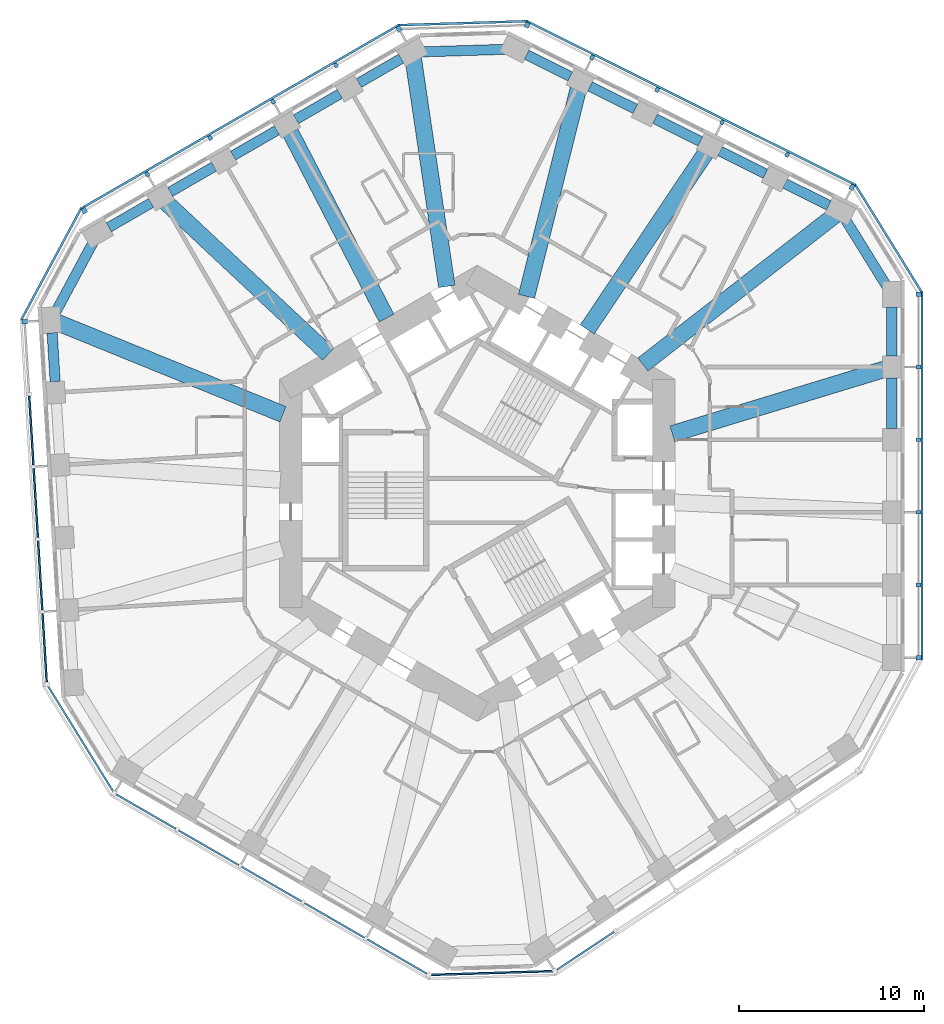
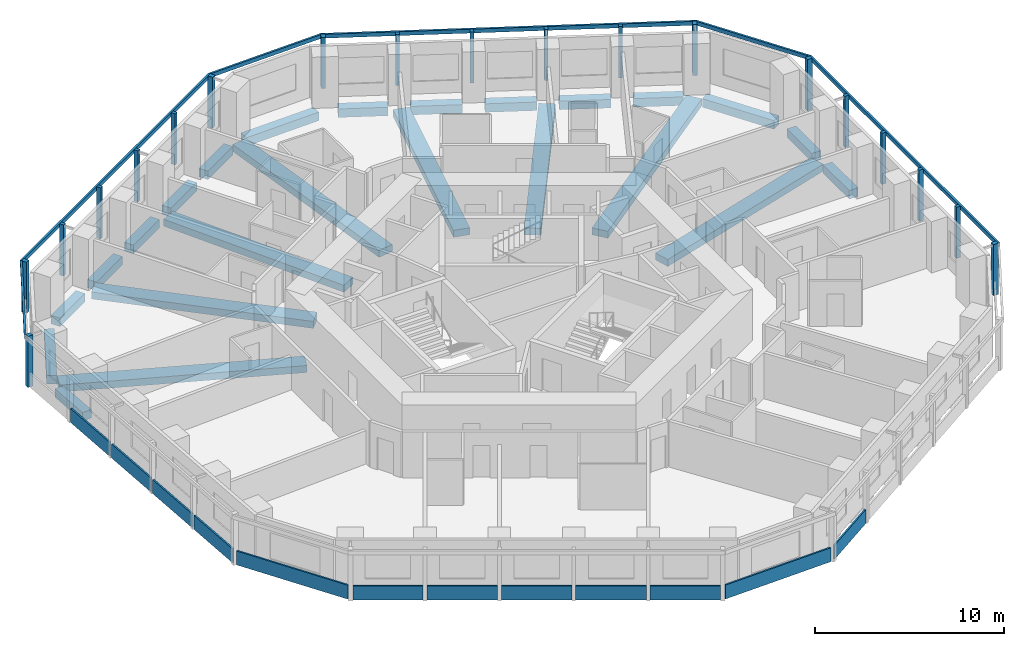
# One storey, part 2 of 12: 25 members, 24 beams, 12 plates, 11 elements without a shape of their own.
"""IFC4 building model written with IfcOpenShell, lengths in metres."""

from ifc_helpers import new_model, si_unit, direction, frame, origin, origin_2d, place, context, subcontext, project, spatial, rectangle, extrude, material, layer, layer_set, material_profile, profile_set, type_object, element, aggregate, save


model = new_model("IFC4")

# Units and contexts
model_context = context("Model", 3, precision=1e-05, world=origin(), true_north=direction((0.0, 1.0)))
body_context = subcontext(model_context, "Body", "Model", "MODEL_VIEW")
ifc_project = project(units=[si_unit("LENGTHUNIT", "METRE"), si_unit("AREAUNIT", "SQUARE_METRE"), si_unit("VOLUMEUNIT", "CUBIC_METRE"), si_unit("PLANEANGLEUNIT", "RADIAN"), si_unit("MASSUNIT", "GRAM", prefix="KILO")], contexts=[model_context])

# Site, building, storey
site_placement = place(None, origin())
site = spatial("IfcSite", under=ifc_project, at=site_placement, CompositionType="ELEMENT")
building_placement = place(site_placement, origin())
building = spatial("IfcBuilding", under=site, at=building_placement, Name="Vanh Sen Convention Tower", CompositionType="ELEMENT")
storey_placement = place(building_placement, frame((0.0, 0.0, 73.699951171875)))
storey = spatial("IfcBuildingStorey", under=building, at=storey_placement, Name="L16", CompositionType="ELEMENT", Elevation=73.699951171875)

# Curtain wall, members
ifc_material_1 = material(Name="Concrete C50/60", Category="concrete")
curtain_wall_type = type_object("IfcCurtainWallType", Name="Outer skin hotel zone", PredefinedType="NOTDEFINED", material=ifc_material_1)
curtain_wall_1_placement = place(storey_placement, origin())
curtain_wall_1 = element("IfcCurtainWall", 1, at=curtain_wall_1_placement, inside=storey, type_object=curtain_wall_type, Name="OUTER SKIN E L16", PredefinedType="NOTDEFINED")
ifc_material_profile_1 = material_profile(ifc_material_1, rectangle(XDim=0.25, YDim=0.300048828125, at=origin_2d()), Name="Outer skin precast corner fin 250 x 300")
ifc_profile_set_1 = profile_set([ifc_material_profile_1], Name="Concrete C50/60")
member_type_1 = type_object("IfcMemberType", Name="Outer skin precast corner fin 250 x 300", PredefinedType="MULLION", material=ifc_profile_set_1)
member_1_placement = place(storey_placement, frame((23.89990234375, -8.899169921875, 0.0), z_axis=(0.0, 0.0, 1.0), x_axis=(0.0, 1.0, 0.0)))
member_1 = element("IfcMember", 2, at=member_1_placement, type_object=member_type_1, Name="OUTER SKIN CORNER FIN 1 E L16", PredefinedType="MULLION", context=body_context, shape_type="SweptSolid", body=[
    extrude(rectangle(XDim=0.25, YDim=0.300048828125, at=origin_2d()), origin(), (0.0, 0.0, 1.0), 3.300048828125),
])
member_2_placement = place(storey_placement, frame((23.89990234375, 10.773681640625, 0.0), z_axis=(0.0, 0.0, 1.0), x_axis=(0.0, 1.0, 0.0)))
member_2 = element("IfcMember", 3, at=member_2_placement, type_object=member_type_1, Name="OUTER SKIN CORNER FIN 6 E L16", PredefinedType="MULLION", context=body_context, shape_type="SweptSolid", body=[
    extrude(rectangle(XDim=0.25, YDim=0.300048828125, at=origin_2d()), origin(), (0.0, 0.0, 1.0), 3.300048828125),
])

curtain_wall_2_placement = place(storey_placement, origin())
curtain_wall_2 = element("IfcCurtainWall", 4, at=curtain_wall_2_placement, inside=storey, type_object=curtain_wall_type, Name="OUTER SKIN NE L16", PredefinedType="NOTDEFINED")
member_3_placement = place(storey_placement, frame((20.305908203125, 16.581787109375, 0.0), z_axis=(0.0, 0.0, 1.0), x_axis=(-0.894934361602, 0.44619781311, 0.0)))
member_3 = element("IfcMember", 5, at=member_3_placement, type_object=member_type_1, Name="OUTER SKIN CORNER FIN 1 NE L16", PredefinedType="MULLION", context=body_context, shape_type="SweptSolid", body=[
    extrude(rectangle(XDim=0.25, YDim=0.300048828125, at=origin_2d()), origin(), (0.0, 0.0, 1.0), 3.300048828125),
])
member_4_placement = place(storey_placement, frame((2.699951171875, 25.35986328125, 0.0), z_axis=(0.0, 0.0, 1.0), x_axis=(-0.894934361602, 0.44619781311, 0.0)))
member_4 = element("IfcMember", 6, at=member_4_placement, type_object=member_type_1, Name="OUTER SKIN CORNER FIN 6 NE L16", PredefinedType="MULLION", context=body_context, shape_type="SweptSolid", body=[
    extrude(rectangle(XDim=0.25, YDim=0.300048828125, at=origin_2d()), origin(), (0.0, 0.0, 1.0), 3.300048828125),
])

curtain_wall_3_placement = place(storey_placement, origin())
curtain_wall_3 = element("IfcCurtainWall", 7, at=curtain_wall_3_placement, inside=storey, type_object=curtain_wall_type, Name="OUTER SKIN NW L16", PredefinedType="NOTDEFINED")
member_5_placement = place(storey_placement, frame((-4.242919921875, 25.147705078125, 0.0), z_axis=(0.0, 0.0, 1.0), x_axis=(-0.866025403784, -0.5, 0.0)))
member_5 = element("IfcMember", 8, at=member_5_placement, type_object=member_type_1, Name="OUTER SKIN CORNER FIN 1 NW L16", PredefinedType="MULLION", context=body_context, shape_type="SweptSolid", body=[
    extrude(rectangle(XDim=0.25, YDim=0.300048828125, at=origin_2d()), origin(), (0.0, 0.0, 1.0), 3.300048828125),
])
member_6_placement = place(storey_placement, frame((-21.2802734375, 15.31103515625, 0.0), z_axis=(0.0, 0.0, 1.0), x_axis=(-0.866025403784, -0.5, 0.0)))
member_6 = element("IfcMember", 9, at=member_6_placement, type_object=member_type_1, Name="OUTER SKIN CORNER FIN 6 NW L16", PredefinedType="MULLION", context=body_context, shape_type="SweptSolid", body=[
    extrude(rectangle(XDim=0.25, YDim=0.300048828125, at=origin_2d()), origin(), (0.0, 0.0, 1.0), 3.300048828125),
])

# Curtain wall, member
curtain_wall_4_placement = place(storey_placement, origin())
curtain_wall_4 = element("IfcCurtainWall", 10, at=curtain_wall_4_placement, inside=storey, type_object=curtain_wall_type, Name="OUTER SKIN W L16", PredefinedType="NOTDEFINED")
member_7_placement = place(storey_placement, frame((-24.51318359375, 9.294677734375, 0.0), z_axis=(0.0, 0.0, 1.0), x_axis=(0.061048539535, -0.998134798422, 0.0)))
member_7 = element("IfcMember", 11, at=member_7_placement, type_object=member_type_1, Name="OUTER SKIN CORNER FIN 1 W L16", PredefinedType="MULLION", context=body_context, shape_type="SweptSolid", body=[
    extrude(rectangle(XDim=0.25, YDim=0.300048828125, at=origin_2d()), origin(), (0.0, 0.0, 1.0), 3.300048828125),
])

# Member
ifc_material_profile_2 = material_profile(ifc_material_1, rectangle(XDim=0.199951171875, YDim=0.25, at=origin_2d()), Name="Outer skin precast fin 200 x 250")
ifc_profile_set_2 = profile_set([ifc_material_profile_2], Name="Concrete C50/60")
member_type_2 = type_object("IfcMemberType", Name="Outer skin precast fin 200 x 250", PredefinedType="MULLION", material=ifc_profile_set_2)
member_8_placement = place(storey_placement, frame((23.89990234375, -4.964599609375, 0.0), z_axis=(0.0, 0.0, 1.0), x_axis=(0.0, 1.0, 0.0)))
member_8 = element("IfcMember", 12, at=member_8_placement, type_object=member_type_2, Name="OUTER SKIN fin 2 E L16", PredefinedType="MULLION", context=body_context, shape_type="SweptSolid", body=[
    extrude(rectangle(XDim=0.199951171875, YDim=0.25, at=origin_2d()), origin(), (0.0, 0.0, 1.0), 3.300048828125),
])

member_9_placement = place(storey_placement, frame((23.89990234375, -1.030029296875, 0.0), z_axis=(0.0, 0.0, 1.0), x_axis=(0.0, 1.0, 0.0)))
member_9 = element("IfcMember", 13, at=member_9_placement, type_object=member_type_2, Name="OUTER SKIN fin 3 E L16", PredefinedType="MULLION", context=body_context, shape_type="SweptSolid", body=[
    extrude(rectangle(XDim=0.199951171875, YDim=0.25, at=origin_2d()), origin(), (0.0, 0.0, 1.0), 3.300048828125),
])

member_10_placement = place(storey_placement, frame((23.89990234375, 2.904541015625, 0.0), z_axis=(0.0, 0.0, 1.0), x_axis=(0.0, 1.0, 0.0)))
member_10 = element("IfcMember", 14, at=member_10_placement, type_object=member_type_2, Name="OUTER SKIN fin 4 E L16", PredefinedType="MULLION", context=body_context, shape_type="SweptSolid", body=[
    extrude(rectangle(XDim=0.199951171875, YDim=0.25, at=origin_2d()), origin(), (0.0, 0.0, 1.0), 3.300048828125),
])

member_11_placement = place(storey_placement, frame((23.89990234375, 6.839111328125, 0.0), z_axis=(0.0, 0.0, 1.0), x_axis=(0.0, 1.0, 0.0)))
member_11 = element("IfcMember", 15, at=member_11_placement, type_object=member_type_2, Name="OUTER SKIN fin 5 E L16", PredefinedType="MULLION", context=body_context, shape_type="SweptSolid", body=[
    extrude(rectangle(XDim=0.199951171875, YDim=0.25, at=origin_2d()), origin(), (0.0, 0.0, 1.0), 3.300048828125),
])

member_12_placement = place(storey_placement, frame((16.78466796875, 18.33740234375, 0.0), z_axis=(0.0, 0.0, 1.0), x_axis=(-0.894934361602, 0.44619781311, 0.0)))
member_12 = element("IfcMember", 16, at=member_12_placement, type_object=member_type_2, Name="OUTER SKIN fin 2 NE L16", PredefinedType="MULLION", context=body_context, shape_type="SweptSolid", body=[
    extrude(rectangle(XDim=0.199951171875, YDim=0.25, at=origin_2d()), origin(), (0.0, 0.0, 1.0), 3.300048828125),
])

member_13_placement = place(storey_placement, frame((13.263427734375, 20.093017578125, 0.0), z_axis=(0.0, 0.0, 1.0), x_axis=(-0.894934361602, 0.44619781311, 0.0)))
member_13 = element("IfcMember", 17, at=member_13_placement, type_object=member_type_2, Name="OUTER SKIN fin 3 NE L16", PredefinedType="MULLION", context=body_context, shape_type="SweptSolid", body=[
    extrude(rectangle(XDim=0.199951171875, YDim=0.25, at=origin_2d()), origin(), (0.0, 0.0, 1.0), 3.300048828125),
])

member_14_placement = place(storey_placement, frame((9.7421875, 21.8486328125, 0.0), z_axis=(0.0, 0.0, 1.0), x_axis=(-0.894934361602, 0.44619781311, 0.0)))
member_14 = element("IfcMember", 18, at=member_14_placement, type_object=member_type_2, Name="OUTER SKIN fin 4 NE L16", PredefinedType="MULLION", context=body_context, shape_type="SweptSolid", body=[
    extrude(rectangle(XDim=0.199951171875, YDim=0.25, at=origin_2d()), origin(), (0.0, 0.0, 1.0), 3.300048828125),
])

member_15_placement = place(storey_placement, frame((6.22119140625, 23.604248046875, 0.0), z_axis=(0.0, 0.0, 1.0), x_axis=(-0.894934361602, 0.44619781311, 0.0)))
member_15 = element("IfcMember", 19, at=member_15_placement, type_object=member_type_2, Name="OUTER SKIN fin 5 NE L16", PredefinedType="MULLION", context=body_context, shape_type="SweptSolid", body=[
    extrude(rectangle(XDim=0.199951171875, YDim=0.25, at=origin_2d()), origin(), (0.0, 0.0, 1.0), 3.300048828125),
])

member_16_placement = place(storey_placement, frame((-7.650390625, 23.180419921875, 0.0), z_axis=(0.0, 0.0, 1.0), x_axis=(-0.866025403784, -0.5, 0.0)))
member_16 = element("IfcMember", 20, at=member_16_placement, type_object=member_type_2, Name="OUTER SKIN fin 2 NW L16", PredefinedType="MULLION", context=body_context, shape_type="SweptSolid", body=[
    extrude(rectangle(XDim=0.199951171875, YDim=0.25, at=origin_2d()), origin(), (0.0, 0.0, 1.0), 3.300048828125),
])

member_17_placement = place(storey_placement, frame((-11.057861328125, 21.212890625, 0.0), z_axis=(0.0, 0.0, 1.0), x_axis=(-0.866025403784, -0.5, 0.0)))
member_17 = element("IfcMember", 21, at=member_17_placement, type_object=member_type_2, Name="OUTER SKIN fin 3 NW L16", PredefinedType="MULLION", context=body_context, shape_type="SweptSolid", body=[
    extrude(rectangle(XDim=0.199951171875, YDim=0.25, at=origin_2d()), origin(), (0.0, 0.0, 1.0), 3.300048828125),
])

member_18_placement = place(storey_placement, frame((-14.46533203125, 19.24560546875, 0.0), z_axis=(0.0, 0.0, 1.0), x_axis=(-0.866025403784, -0.5, 0.0)))
member_18 = element("IfcMember", 22, at=member_18_placement, type_object=member_type_2, Name="OUTER SKIN fin 4 NW L16", PredefinedType="MULLION", context=body_context, shape_type="SweptSolid", body=[
    extrude(rectangle(XDim=0.199951171875, YDim=0.25, at=origin_2d()), origin(), (0.0, 0.0, 1.0), 3.300048828125),
])

member_19_placement = place(storey_placement, frame((-17.872802734375, 17.2783203125, 0.0), z_axis=(0.0, 0.0, 1.0), x_axis=(-0.866025403784, -0.5, 0.0)))
member_19 = element("IfcMember", 23, at=member_19_placement, type_object=member_type_2, Name="OUTER SKIN fin 5 NW L16", PredefinedType="MULLION", context=body_context, shape_type="SweptSolid", body=[
    extrude(rectangle(XDim=0.199951171875, YDim=0.25, at=origin_2d()), origin(), (0.0, 0.0, 1.0), 3.300048828125),
])

ifc_material_profile_3 = material_profile(ifc_material_1, rectangle(XDim=0.1201171875, YDim=0.25, at=origin_2d()), Name="Outer skin precast spandrel band 250 x 120")
ifc_profile_set_3 = profile_set([ifc_material_profile_3], Name="Concrete C50/60")
member_type_3 = type_object("IfcMemberType", Name="Outer skin precast spandrel band 250 x 120", PredefinedType="USERDEFINED", material=ifc_profile_set_3)
member_20_placement = place(storey_placement, frame((24.0849609375, -9.024169921875, 3.175048828125), z_axis=(0.0, 1.0, 0.0), x_axis=(-1.0, 0.0, 0.0)))
member_20 = element("IfcMember", 24, at=member_20_placement, type_object=member_type_3, Name="OUTER SKIN spandrel band E L16", ObjectType="TRANSOM", PredefinedType="USERDEFINED", context=body_context, shape_type="SweptSolid", body=[
    extrude(rectangle(XDim=0.1201171875, YDim=0.25, at=origin_2d()), origin(), (0.0, 0.0, 1.0), 19.9228515625),
])

aggregate(curtain_wall_1, [member_1, member_8, member_9, member_10, member_11, member_2, member_20])

# Curtain wall, member
curtain_wall_5_placement = place(storey_placement, origin())
curtain_wall_5 = element("IfcCurtainWall", 25, at=curtain_wall_5_placement, inside=storey, type_object=curtain_wall_type, Name="OUTER SKIN CH1 L16", PredefinedType="NOTDEFINED")
member_21_placement = place(storey_placement, frame((24.07861328125, 10.88427734375, 3.175048828125), z_axis=(-0.526195864379, 0.850363400148, 0.0), x_axis=(-0.850363400148, -0.526195864379, 0.0)))
member_21 = element("IfcMember", 26, at=member_21_placement, type_object=member_type_3, Name="OUTER SKIN spandrel band CH1 L16", ObjectType="TRANSOM", PredefinedType="USERDEFINED", context=body_context, shape_type="SweptSolid", body=[
    extrude(rectangle(XDim=0.1201171875, YDim=0.25, at=origin_2d()), origin(), (0.0, 0.0, 1.0), 6.830078125),
])
aggregate(curtain_wall_5, [member_21])

# Member
member_22_placement = place(storey_placement, frame((20.500244140625, 16.69140625, 3.175048828125), z_axis=(-0.894931498167, 0.446203556227, 0.0), x_axis=(-0.446203556227, -0.894931498167, 0.0)))
member_22 = element("IfcMember", 27, at=member_22_placement, type_object=member_type_3, Name="OUTER SKIN spandrel band NE L16", ObjectType="TRANSOM", PredefinedType="USERDEFINED", context=body_context, shape_type="SweptSolid", body=[
    extrude(rectangle(XDim=0.1201171875, YDim=0.25, at=origin_2d()), origin(), (0.0, 0.0, 1.0), 19.9228515625),
])

aggregate(curtain_wall_2, [member_3, member_12, member_13, member_14, member_15, member_4, member_22])

# Curtain wall, member
curtain_wall_6_placement = place(storey_placement, origin())
curtain_wall_6 = element("IfcCurtainWall", 28, at=curtain_wall_6_placement, inside=storey, type_object=curtain_wall_type, Name="OUTER SKIN CH2 L16", PredefinedType="NOTDEFINED")
member_23_placement = place(storey_placement, frame((2.693603515625, 25.569580078125, 3.175048828125), z_axis=(-0.999533472857, -0.030542374483, 0.0), x_axis=(0.030542374483, -0.999533472857, 0.0)))
member_23 = element("IfcMember", 29, at=member_23_placement, type_object=member_type_3, Name="OUTER SKIN spandrel band CH2 L16", ObjectType="TRANSOM", PredefinedType="USERDEFINED", context=body_context, shape_type="SweptSolid", body=[
    extrude(rectangle(XDim=0.1201171875, YDim=0.25, at=origin_2d()), origin(), (0.0, 0.0, 1.0), 6.9462890625),
])
aggregate(curtain_wall_6, [member_23])

# Member
member_24_placement = place(storey_placement, frame((-4.227294921875, 25.370361328125, 3.175048828125), z_axis=(-0.866028047459, -0.499995420993, 0.0), x_axis=(0.499995420993, -0.866028047459, 0.0)))
member_24 = element("IfcMember", 30, at=member_24_placement, type_object=member_type_3, Name="OUTER SKIN spandrel band NW L16", ObjectType="TRANSOM", PredefinedType="USERDEFINED", context=body_context, shape_type="SweptSolid", body=[
    extrude(rectangle(XDim=0.1201171875, YDim=0.25, at=origin_2d()), origin(), (0.0, 0.0, 1.0), 19.923095703125),
])

aggregate(curtain_wall_3, [member_5, member_16, member_17, member_18, member_19, member_6, member_24])

# Curtain wall, member
curtain_wall_7_placement = place(storey_placement, origin())
curtain_wall_7 = element("IfcCurtainWall", 31, at=curtain_wall_7_placement, inside=storey, type_object=curtain_wall_type, Name="OUTER SKIN CH3 L16", PredefinedType="NOTDEFINED")
member_25_placement = place(storey_placement, frame((-21.46533203125, 15.410400390625, 3.175048828125), z_axis=(-0.473315186561, -0.880893145717, 0.0), x_axis=(0.880893145717, -0.473315186561, 0.0)))
member_25 = element("IfcMember", 32, at=member_25_placement, type_object=member_type_3, Name="OUTER SKIN spandrel band CH3 L16", ObjectType="TRANSOM", PredefinedType="USERDEFINED", context=body_context, shape_type="SweptSolid", body=[
    extrude(rectangle(XDim=0.1201171875, YDim=0.25, at=origin_2d()), origin(), (0.0, 0.0, 1.0), 6.829833984375),
])
aggregate(curtain_wall_7, [member_25])

# Beams
ifc_material_2 = material(Name="Concrete C50/60", Category="concrete")
ifc_material_profile_4 = material_profile(ifc_material_2, rectangle(XDim=0.89990234375, YDim=0.449951171875, at=origin_2d()), Name="RC 900X450")
ifc_profile_set_4 = profile_set([ifc_material_profile_4], Name="Concrete C50/60")
beam_type_1 = type_object("IfcBeamType", Name="Radial floor beam 900 x 450", PredefinedType="BEAM", material=ifc_profile_set_4)
beam_1_placement = place(storey_placement, frame((22.0859375, 6.728271484375, -0.474853515625), z_axis=(-0.956595291153, -0.291419712689, 0.0), x_axis=(0.291419712689, -0.956595291153, 0.0)))
element("IfcBeam", 33, at=beam_1_placement, inside=storey, type_object=beam_type_1, Name="Radial beam 03 L16", PredefinedType="BEAM", context=body_context, shape_type="SweptSolid", body=[
    extrude(rectangle(XDim=0.89990234375, YDim=0.449951171875, at=origin_2d()), origin(), (0.0, 0.0, 1.0), 12.04443359375),
])
beam_2_placement = place(storey_placement, frame((19.3955078125, 15.079345703125, -0.474853515625), z_axis=(-0.789464705625, -0.61379595842, 0.0), x_axis=(0.61379595842, -0.789464705625, 0.0)))
element("IfcBeam", 34, at=beam_2_placement, inside=storey, type_object=beam_type_1, Name="Radial beam 04 L16", PredefinedType="BEAM", context=body_context, shape_type="SweptSolid", body=[
    extrude(rectangle(XDim=0.89990234375, YDim=0.449951171875, at=origin_2d()), origin(), (0.0, 0.0, 1.0), 13.204345703125),
])
beam_3_placement = place(storey_placement, frame((12.37060546875, 18.42919921875, -0.474853515625), z_axis=(-0.557321786786, -0.830296589162, 0.0), x_axis=(0.830296589162, -0.557321786786, 0.0)))
element("IfcBeam", 35, at=beam_3_placement, inside=storey, type_object=beam_type_1, Name="Radial beam 05 L16", PredefinedType="BEAM", context=body_context, shape_type="SweptSolid", body=[
    extrude(rectangle(XDim=0.89990234375, YDim=0.449951171875, at=origin_2d()), origin(), (0.0, 0.0, 1.0), 11.507080078125),
])
beam_4_placement = place(storey_placement, frame((5.475341796875, 21.9111328125, -0.474853515625), z_axis=(-0.242431531098, -0.970168517697, 0.0), x_axis=(0.970168517697, -0.242431531098, 0.0)))
element("IfcBeam", 36, at=beam_4_placement, inside=storey, type_object=beam_type_1, Name="Radial beam 06 L16", PredefinedType="BEAM", context=body_context, shape_type="SweptSolid", body=[
    extrude(rectangle(XDim=0.89990234375, YDim=0.449951171875, at=origin_2d()), origin(), (0.0, 0.0, 1.0), 11.589111328125),
])
beam_5_placement = place(storey_placement, frame((-3.46630859375, 23.541259765625, -0.474853515625), z_axis=(0.145680012358, -0.989331761342, 0.0), x_axis=(0.989331761342, 0.145680012358, 0.0)))
element("IfcBeam", 37, at=beam_5_placement, inside=storey, type_object=beam_type_1, Name="Radial beam 07 L16", PredefinedType="BEAM", context=body_context, shape_type="SweptSolid", body=[
    extrude(rectangle(XDim=0.89990234375, YDim=0.449951171875, at=origin_2d()), origin(), (0.0, 0.0, 1.0), 12.468505859375),
])
beam_6_placement = place(storey_placement, frame((-10.114501953125, 19.53564453125, -0.474853515625), z_axis=(0.459772199707, -0.88803689359, 0.0), x_axis=(0.88803689359, 0.459772199707, 0.0)))
element("IfcBeam", 38, at=beam_6_placement, inside=storey, type_object=beam_type_1, Name="Radial beam 08 L16", PredefinedType="BEAM", context=body_context, shape_type="SweptSolid", body=[
    extrude(rectangle(XDim=0.89990234375, YDim=0.449951171875, at=origin_2d()), origin(), (0.0, 0.0, 1.0), 11.31298828125),
])
beam_7_placement = place(storey_placement, frame((-16.869873046875, 15.762939453125, -0.474853515625), z_axis=(0.730668926441, -0.68273195321, 0.0), x_axis=(0.68273195321, 0.730668926441, 0.0)))
element("IfcBeam", 39, at=beam_7_placement, inside=storey, type_object=beam_type_1, Name="Radial beam 09 L16", PredefinedType="BEAM", context=body_context, shape_type="SweptSolid", body=[
    extrude(rectangle(XDim=0.89990234375, YDim=0.449951171875, at=origin_2d()), origin(), (0.0, 0.0, 1.0), 12.044921875),
])
beam_8_placement = place(storey_placement, frame((-22.7568359375, 9.25732421875, -0.474853515625), z_axis=(0.926294416538, -0.376800549216, 0.0), x_axis=(0.376800549216, 0.926294416538, 0.0)))
element("IfcBeam", 40, at=beam_8_placement, inside=storey, type_object=beam_type_1, Name="Radial beam 10 L16", PredefinedType="BEAM", context=body_context, shape_type="SweptSolid", body=[
    extrude(rectangle(XDim=0.89990234375, YDim=0.449951171875, at=origin_2d()), origin(), (0.0, 0.0, 1.0), 13.2041015625),
])
ifc_material_profile_5 = material_profile(ifc_material_2, rectangle(XDim=0.550048828125, YDim=0.550048828125, at=origin_2d()), Name="RC 550X550")
ifc_profile_set_5 = profile_set([ifc_material_profile_5], Name="Concrete C50/60")
beam_type_2 = type_object("IfcBeamType", Name="Spandrel beam 550 x 550", PredefinedType="SPANDREL", material=ifc_profile_set_5)
beam_9_placement = place(storey_placement, frame((22.449951171875, 3.49951171875, -0.52490234375), z_axis=(0.0, 1.0, 0.0), x_axis=(-1.0, 0.0, 0.0)))
element("IfcBeam", 41, at=beam_9_placement, inside=storey, type_object=beam_type_2, Name="Spandrel beam 04 L16", PredefinedType="SPANDREL", context=body_context, shape_type="SweptSolid", body=[
    extrude(rectangle(XDim=0.550048828125, YDim=0.550048828125, at=origin_2d()), origin(), (0.0, 0.0, 1.0), 2.74462890625),
])
beam_10_placement = place(storey_placement, frame((22.449951171875, 7.43408203125, -0.52490234375), z_axis=(0.0, 1.0, 0.0), x_axis=(-1.0, 0.0, 0.0)))
element("IfcBeam", 42, at=beam_10_placement, inside=storey, type_object=beam_type_2, Name="Spandrel beam 05 L16", PredefinedType="SPANDREL", context=body_context, shape_type="SweptSolid", body=[
    extrude(rectangle(XDim=0.550048828125, YDim=0.550048828125, at=origin_2d()), origin(), (0.0, 0.0, 1.0), 2.64453125),
])
beam_11_placement = place(storey_placement, frame((22.1865234375, 11.199462890625, -0.52490234375), z_axis=(-0.526204199605, 0.850358242342, 0.0), x_axis=(-0.850358242342, -0.526204199605, 0.0)))
element("IfcBeam", 43, at=beam_11_placement, inside=storey, type_object=beam_type_2, Name="Spandrel beam 06 L16", PredefinedType="SPANDREL", context=body_context, shape_type="SweptSolid", body=[
    extrude(rectangle(XDim=0.550048828125, YDim=0.550048828125, at=origin_2d()), origin(), (0.0, 0.0, 1.0), 4.302734375),
])
beam_12_placement = place(storey_placement, frame((19.036865234375, 15.59423828125, -0.52490234375), z_axis=(-0.894943581597, 0.446179320183, 0.0), x_axis=(-0.446179320183, -0.894943581597, 0.0)))
element("IfcBeam", 44, at=beam_12_placement, inside=storey, type_object=beam_type_2, Name="Spandrel beam 07 L16", PredefinedType="SPANDREL", context=body_context, shape_type="SweptSolid", body=[
    extrude(rectangle(XDim=0.550048828125, YDim=0.550048828125, at=origin_2d()), origin(), (0.0, 0.0, 1.0), 2.64453125),
])
for number, where, z_axis, x_axis, name in (
    (45, (15.605224609375, 17.30517578125, -0.52490234375), (-0.894942515368, 0.44618145881, 0.0), (-0.44618145881, -0.894942515368, 0.0), "Spandrel beam 08 L16"),
    (46, (12.083984375, 19.060791015625, -0.52490234375), (-0.894942515368, 0.44618145881, 0.0), (-0.44618145881, -0.894942515368, 0.0), "Spandrel beam 09 L16"),
):
    element("IfcBeam", number, at=place(storey_placement, frame(where, z_axis=z_axis, x_axis=x_axis)), inside=storey, type_object=beam_type_2, Name=name, PredefinedType="SPANDREL", context=body_context, shape_type="SweptSolid", body=[
        extrude(rectangle(XDim=0.550048828125, YDim=0.550048828125, at=origin_2d()), origin(), (0.0, 0.0, 1.0), 2.74462890625),
    ])
beam_13_placement = place(storey_placement, frame((8.562744140625, 20.81640625, -0.52490234375), z_axis=(-0.894924804947, 0.44621698028, 0.0), x_axis=(-0.44621698028, -0.894924804947, 0.0)))
element("IfcBeam", 47, at=beam_13_placement, inside=storey, type_object=beam_type_2, Name="Spandrel beam 10 L16", PredefinedType="SPANDREL", context=body_context, shape_type="SweptSolid", body=[
    extrude(rectangle(XDim=0.550048828125, YDim=0.550048828125, at=origin_2d()), origin(), (0.0, 0.0, 1.0), 2.744384765625),
])
beam_14_placement = place(storey_placement, frame((5.04150390625, 22.572021484375, -0.52490234375), z_axis=(-0.894943581597, 0.446179320183, 0.0), x_axis=(-0.446179320183, -0.894943581597, 0.0)))
element("IfcBeam", 48, at=beam_14_placement, inside=storey, type_object=beam_type_2, Name="Spandrel beam 11 L16", PredefinedType="SPANDREL", context=body_context, shape_type="SweptSolid", body=[
    extrude(rectangle(XDim=0.550048828125, YDim=0.550048828125, at=origin_2d()), origin(), (0.0, 0.0, 1.0), 2.64453125),
])
beam_15_placement = place(storey_placement, frame((1.513671875, 24.045654296875, -0.52490234375), z_axis=(-0.999533924707, -0.030527583592, 0.0), x_axis=(0.030527583592, -0.999533924707, 0.0)))
element("IfcBeam", 49, at=beam_15_placement, inside=storey, type_object=beam_type_2, Name="Spandrel beam 12 L16", PredefinedType="SPANDREL", context=body_context, shape_type="SweptSolid", body=[
    extrude(rectangle(XDim=0.550048828125, YDim=0.550048828125, at=origin_2d()), origin(), (0.0, 0.0, 1.0), 4.49462890625),
])
beam_16_placement = place(storey_placement, frame((-4.119873046875, 23.54443359375, -0.52490234375), z_axis=(-0.866030315638, -0.499991492324, 0.0), x_axis=(0.499991492324, -0.866030315638, 0.0)))
element("IfcBeam", 50, at=beam_16_placement, inside=storey, type_object=beam_type_2, Name="Spandrel beam 13 L16", PredefinedType="SPANDREL", context=body_context, shape_type="SweptSolid", body=[
    extrude(rectangle(XDim=0.550048828125, YDim=0.550048828125, at=origin_2d()), origin(), (0.0, 0.0, 1.0), 2.64453125),
])
beam_17_placement = place(storey_placement, frame((-7.44091796875, 21.627197265625, -0.52490234375), z_axis=(-0.866006330792, -0.500033033937, 0.0), x_axis=(0.500033033937, -0.866006330792, 0.0)))
element("IfcBeam", 51, at=beam_17_placement, inside=storey, type_object=beam_type_2, Name="Spandrel beam 14 L16", PredefinedType="SPANDREL", context=body_context, shape_type="SweptSolid", body=[
    extrude(rectangle(XDim=0.550048828125, YDim=0.550048828125, at=origin_2d()), origin(), (0.0, 0.0, 1.0), 2.744384765625),
])
for number, where, z_axis, x_axis, name in (
    (52, (-10.84814453125, 19.659912109375, -0.52490234375), (-0.866028570666, -0.499994514761, 0.0), (0.499994514761, -0.866028570666, 0.0), "Spandrel beam 15 L16"),
    (53, (-14.255615234375, 17.6923828125, -0.52490234375), (-0.866067086513, -0.499927796446, 0.0), (0.499927796446, -0.866067086513, 0.0), "Spandrel beam 16 L16"),
):
    element("IfcBeam", number, at=place(storey_placement, frame(where, z_axis=z_axis, x_axis=x_axis)), inside=storey, type_object=beam_type_2, Name=name, PredefinedType="SPANDREL", context=body_context, shape_type="SweptSolid", body=[
        extrude(rectangle(XDim=0.550048828125, YDim=0.550048828125, at=origin_2d()), origin(), (0.0, 0.0, 1.0), 2.74462890625),
    ])
beam_18_placement = place(storey_placement, frame((-17.6630859375, 15.72509765625, -0.52490234375), z_axis=(-0.866030315638, -0.499991492324, 0.0), x_axis=(0.499991492324, -0.866030315638, 0.0)))
element("IfcBeam", 54, at=beam_18_placement, inside=storey, type_object=beam_type_2, Name="Spandrel beam 17 L16", PredefinedType="SPANDREL", context=body_context, shape_type="SweptSolid", body=[
    extrude(rectangle(XDim=0.550048828125, YDim=0.550048828125, at=origin_2d()), origin(), (0.0, 0.0, 1.0), 2.64453125),
])
beam_19_placement = place(storey_placement, frame((-20.792236328125, 13.6142578125, -0.52490234375), z_axis=(-0.473348459073, -0.88087526716, 0.0), x_axis=(0.88087526716, -0.473348459073, 0.0)))
element("IfcBeam", 55, at=beam_19_placement, inside=storey, type_object=beam_type_2, Name="Spandrel beam 18 L16", PredefinedType="SPANDREL", context=body_context, shape_type="SweptSolid", body=[
    extrude(rectangle(XDim=0.550048828125, YDim=0.550048828125, at=origin_2d()), origin(), (0.0, 0.0, 1.0), 4.302490234375),
])
beam_20_placement = place(storey_placement, frame((-23.0234375, 8.689453125, -0.52490234375), z_axis=(0.061113817246, -0.998130803723, 0.0), x_axis=(0.998130803723, 0.061113817246, 0.0)))
element("IfcBeam", 56, at=beam_20_placement, inside=storey, type_object=beam_type_2, Name="Spandrel beam 19 L16", PredefinedType="SPANDREL", context=body_context, shape_type="SweptSolid", body=[
    extrude(rectangle(XDim=0.550048828125, YDim=0.550048828125, at=origin_2d()), origin(), (0.0, 0.0, 1.0), 2.64453125),
])

# Plate
ifc_layer = layer(ifc_material_1, 0.10009765625)
ifc_layer_set = layer_set([ifc_layer], Name="Concrete C50/60")
plate_type = type_object("IfcPlateType", Name="Outer skin precast screen panel 100", PredefinedType="CURTAIN_PANEL", material=ifc_layer_set)
plate_1_placement = place(storey_placement, frame((-24.15283203125, 3.40380859375, 0.0), z_axis=(0.0, 0.0, 1.0), x_axis=(0.061048539535, -0.998134798422, 0.0)))
plate_1 = element("IfcPlate", 57, at=plate_1_placement, type_object=plate_type, Name="OUTER SKIN screen panel W-2", PredefinedType="CURTAIN_PANEL", context=body_context, shape_type="SweptSolid", body=[
    extrude(rectangle(XDim=3.734619140625, YDim=0.10009765625, at=origin_2d()), origin(), (0.0, 0.0, 1.0), 0.89990234375),
])

plate_2_placement = place(storey_placement, frame((-23.91259765625, -0.523681640625, 0.0), z_axis=(0.0, 0.0, 1.0), x_axis=(0.061046797461, -0.99813490497, 0.0)))
plate_2 = element("IfcPlate", 58, at=plate_2_placement, type_object=plate_type, Name="OUTER SKIN screen panel W-3", PredefinedType="CURTAIN_PANEL", context=body_context, shape_type="SweptSolid", body=[
    extrude(rectangle(XDim=3.734619140625, YDim=0.10009765625, at=origin_2d()), origin(), (0.0, 0.0, 1.0), 0.89990234375),
])

plate_3_placement = place(storey_placement, frame((-23.67236328125, -4.45068359375, 0.0), z_axis=(0.0, 0.0, 1.0), x_axis=(0.061048539535, -0.998134798422, 0.0)))
plate_3 = element("IfcPlate", 59, at=plate_3_placement, type_object=plate_type, Name="OUTER SKIN screen panel W-4", PredefinedType="CURTAIN_PANEL", context=body_context, shape_type="SweptSolid", body=[
    extrude(rectangle(XDim=3.734619140625, YDim=0.10009765625, at=origin_2d()), origin(), (0.0, 0.0, 1.0), 0.89990234375),
])

plate_4_placement = place(storey_placement, frame((-23.43310546875, -8.365478515625, 0.0), z_axis=(0.0, 0.0, 1.0), x_axis=(0.061046797461, -0.99813490497, 0.0)))
plate_4 = element("IfcPlate", 60, at=plate_4_placement, type_object=plate_type, Name="OUTER SKIN screen panel W-5", PredefinedType="CURTAIN_PANEL", context=body_context, shape_type="SweptSolid", body=[
    extrude(rectangle(XDim=3.709716796875, YDim=0.10009765625, at=origin_2d()), origin(), (0.0, 0.0, 1.0), 0.89990234375),
])

aggregate(curtain_wall_4, [member_7, plate_1, plate_2, plate_3, plate_4])

# Curtain wall, plate
curtain_wall_8_placement = place(storey_placement, origin())
curtain_wall_8 = element("IfcCurtainWall", 61, at=curtain_wall_8_placement, inside=storey, type_object=curtain_wall_type, Name="OUTER SKIN CH4 L16", PredefinedType="NOTDEFINED")
plate_5_placement = place(storey_placement, frame((-21.484619140625, -13.295166015625, 0.0), z_axis=(0.0, 0.0, 1.0), x_axis=(0.526205018755, -0.850357735448, 0.0)))
plate_5 = element("IfcPlate", 62, at=plate_5_placement, type_object=plate_type, Name="OUTER SKIN screen panel CH4-1", PredefinedType="CURTAIN_PANEL", context=body_context, shape_type="SweptSolid", body=[
    extrude(rectangle(XDim=6.6962890625, YDim=0.10009765625, at=origin_2d()), origin(), (0.0, 0.0, 1.0), 0.89990234375),
])
aggregate(curtain_wall_8, [plate_5])

# Curtain wall, plates
curtain_wall_9_placement = place(storey_placement, origin())
curtain_wall_9 = element("IfcCurtainWall", 63, at=curtain_wall_9_placement, inside=storey, type_object=curtain_wall_type, Name="OUTER SKIN SW L16", PredefinedType="NOTDEFINED")
plate_6_placement = place(storey_placement, frame((-17.9423828125, -17.23828125, 0.0), z_axis=(0.0, 0.0, 1.0), x_axis=(0.866028021766, -0.499995465495, 0.0)))
plate_6 = element("IfcPlate", 64, at=plate_6_placement, type_object=plate_type, Name="OUTER SKIN screen panel SW-1", PredefinedType="CURTAIN_PANEL", context=body_context, shape_type="SweptSolid", body=[
    extrude(rectangle(XDim=3.709716796875, YDim=0.10009765625, at=origin_2d()), origin(), (0.0, 0.0, 1.0), 0.89990234375),
])
plate_7_placement = place(storey_placement, frame((-14.5458984375, -19.19921875, 0.0), z_axis=(0.0, 0.0, 1.0), x_axis=(0.866032385017, -0.499987907955, 0.0)))
plate_7 = element("IfcPlate", 65, at=plate_7_placement, type_object=plate_type, Name="OUTER SKIN screen panel SW-2", PredefinedType="CURTAIN_PANEL", context=body_context, shape_type="SweptSolid", body=[
    extrude(rectangle(XDim=3.734619140625, YDim=0.10009765625, at=origin_2d()), origin(), (0.0, 0.0, 1.0), 0.89990234375),
])
plate_8_placement = place(storey_placement, frame((-11.138427734375, -21.16650390625, 0.0), z_axis=(0.0, 0.0, 1.0), x_axis=(0.866028021766, -0.499995465495, 0.0)))
plate_8 = element("IfcPlate", 66, at=plate_8_placement, type_object=plate_type, Name="OUTER SKIN screen panel SW-3", PredefinedType="CURTAIN_PANEL", context=body_context, shape_type="SweptSolid", body=[
    extrude(rectangle(XDim=3.734619140625, YDim=0.10009765625, at=origin_2d()), origin(), (0.0, 0.0, 1.0), 0.89990234375),
])
plate_9_placement = place(storey_placement, frame((-7.73095703125, -23.1337890625, 0.0), z_axis=(0.0, 0.0, 1.0), x_axis=(0.866028021766, -0.499995465495, 0.0)))
plate_9 = element("IfcPlate", 67, at=plate_9_placement, type_object=plate_type, Name="OUTER SKIN screen panel SW-4", PredefinedType="CURTAIN_PANEL", context=body_context, shape_type="SweptSolid", body=[
    extrude(rectangle(XDim=3.734619140625, YDim=0.10009765625, at=origin_2d()), origin(), (0.0, 0.0, 1.0), 0.89990234375),
])
plate_10_placement = place(storey_placement, frame((-4.334228515625, -25.094970703125, 0.0), z_axis=(0.0, 0.0, 1.0), x_axis=(0.866021040428, -0.500007557478, 0.0)))
plate_10 = element("IfcPlate", 68, at=plate_10_placement, type_object=plate_type, Name="OUTER SKIN screen panel SW-5", PredefinedType="CURTAIN_PANEL", context=body_context, shape_type="SweptSolid", body=[
    extrude(rectangle(XDim=3.70947265625, YDim=0.10009765625, at=origin_2d()), origin(), (0.0, 0.0, 1.0), 0.89990234375),
])
aggregate(curtain_wall_9, [plate_6, plate_7, plate_8, plate_9, plate_10])

# Curtain wall, plate
curtain_wall_10_placement = place(storey_placement, origin())
curtain_wall_10 = element("IfcCurtainWall", 69, at=curtain_wall_10_placement, inside=storey, type_object=curtain_wall_type, Name="OUTER SKIN CH5 L16", PredefinedType="NOTDEFINED")
plate_11_placement = place(storey_placement, frame((0.793701171875, -25.98046875, 0.0), z_axis=(0.0, 0.0, 1.0), x_axis=(0.999533484231, 0.03054200224, 0.0)))
plate_11 = element("IfcPlate", 70, at=plate_11_placement, type_object=plate_type, Name="OUTER SKIN screen panel CH5-1", PredefinedType="CURTAIN_PANEL", context=body_context, shape_type="SweptSolid", body=[
    extrude(rectangle(XDim=6.580078125, YDim=0.10009765625, at=origin_2d()), origin(), (0.0, 0.0, 1.0), 0.89990234375),
])
aggregate(curtain_wall_10, [plate_11])

curtain_wall_11_placement = place(storey_placement, origin())
curtain_wall_11 = element("IfcCurtainWall", 71, at=curtain_wall_11_placement, inside=storey, type_object=curtain_wall_type, Name="OUTER SKIN SE L16", PredefinedType="NOTDEFINED")
plate_12_placement = place(storey_placement, frame((5.858154296875, -24.783447265625, 0.0), z_axis=(0.0, 0.0, 1.0), x_axis=(0.833891601892, 0.55192825285, 0.0)))
plate_12 = element("IfcPlate", 72, at=plate_12_placement, type_object=plate_type, Name="OUTER SKIN screen panel SE-1", PredefinedType="CURTAIN_PANEL", context=body_context, shape_type="SweptSolid", body=[
    extrude(rectangle(XDim=3.709716796875, YDim=0.10009765625, at=origin_2d()), origin(), (0.0, 0.0, 1.0), 0.89990234375),
])
aggregate(curtain_wall_11, [plate_12])

save(model, "model.ifc")
